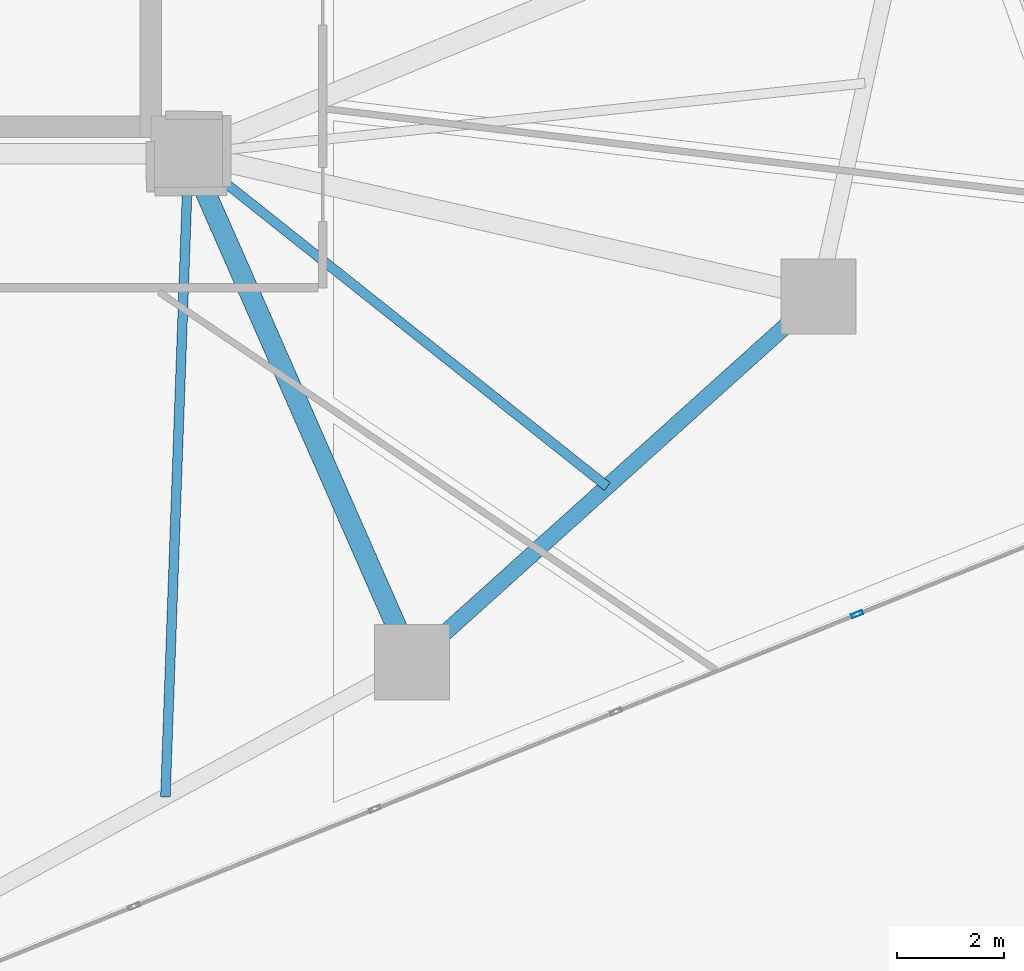
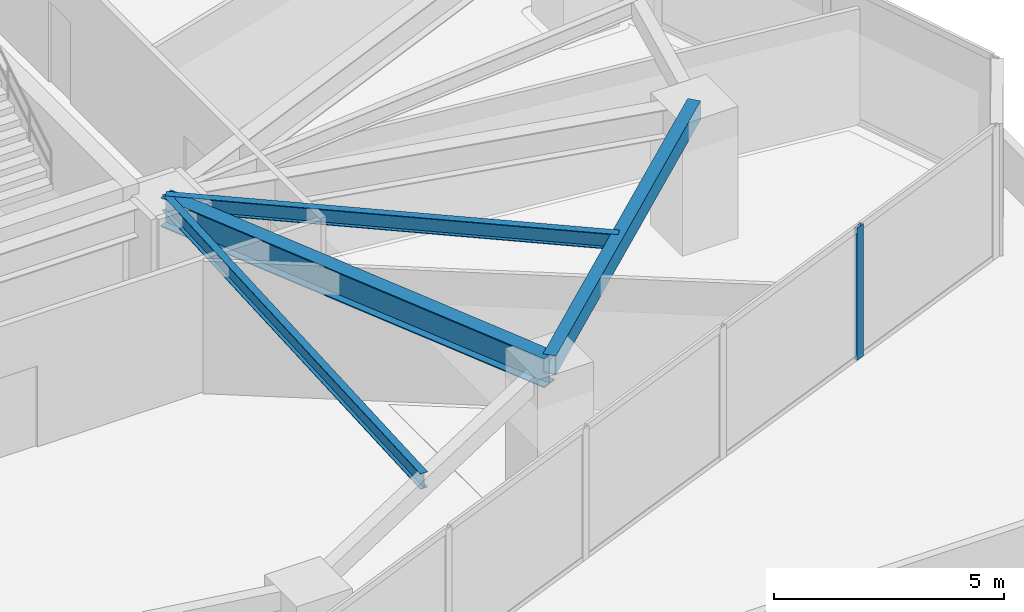
# One storey, part 10 of 23: 4 beams, 1 member, 1 element without a shape of its own.
"""IFC4 building model written with IfcOpenShell, lengths in metres."""

from ifc_helpers import new_model, si_unit, direction, frame, origin, origin_2d, place, context, subcontext, project, spatial, hollow_rectangle, i_section, extrude, source, transform, mapped, material, layer, layer_set, material_profile, profile_set, type_object, type_shapes, element, aggregate, save


model = new_model("IFC4")

# Units and contexts
model_context = context("Model", 3, precision=1e-05, world=origin(), true_north=direction((0.0, 1.0)))
body_context = subcontext(model_context, "Body", "Model", "MODEL_VIEW")
ifc_project = project(units=[si_unit("LENGTHUNIT", "METRE"), si_unit("AREAUNIT", "SQUARE_METRE"), si_unit("VOLUMEUNIT", "CUBIC_METRE"), si_unit("PLANEANGLEUNIT", "RADIAN"), si_unit("MASSUNIT", "GRAM", prefix="KILO")], contexts=[model_context])

# Site, building, storey
site_placement = place(None, origin())
site = spatial("IfcSite", under=ifc_project, at=site_placement, CompositionType="ELEMENT")
building_placement = place(site_placement, origin())
building = spatial("IfcBuilding", under=site, at=building_placement, Name="Talar Marvaseh", CompositionType="ELEMENT")
storey_placement = place(building_placement, frame((0.0, 0.0, 24.0)))
storey = spatial("IfcBuildingStorey", under=building, at=storey_placement, Name="L05", CompositionType="ELEMENT", Elevation=24.0)

# Beams
ifc_material_1 = material(Name="Steel S355", Category="steel")
ifc_material_profile_1 = material_profile(ifc_material_1, hollow_rectangle(XDim=0.300048828125, YDim=0.5, WallThickness=0.02001953125, at=origin_2d()), Name="RHS500x300x20")
ifc_profile_set_1 = profile_set([ifc_material_profile_1], Name="Steel S355")
beam_type_1 = type_object("IfcBeamType", Name="Zone 1 Perimeter Spandrel Beam RHS500x300x20", PredefinedType="SPANDREL", material=ifc_profile_set_1)
beam_1_placement = place(storey_placement, frame((45.0439453125, 22.840087890625, 3.27001953125), z_axis=(-0.743257224494, -0.669005753516, 0.0), x_axis=(0.669005753516, -0.743257224494, 0.0)))
element("IfcBeam", 1, at=beam_1_placement, inside=storey, type_object=beam_type_1, Name="L05 Zone 1 Perimeter Spandrel Beam RHS500x300x20", PredefinedType="SPANDREL", context=body_context, shape_type="SweptSolid", body=[
    extrude(hollow_rectangle(XDim=0.300048828125, YDim=0.5, WallThickness=0.02001953125, at=origin_2d()), origin(), (0.0, 0.0, 1.0), 10.19287109375),
])
ifc_material_profile_2 = material_profile(ifc_material_1, i_section(OverallWidth=0.381103515625, OverallDepth=0.77294921875, WebThickness=0.0166015625, FlangeThickness=0.027099609375, at=origin_2d()), Name="W760x257")
ifc_profile_set_2 = profile_set([ifc_material_profile_2], Name="Steel S355")
beam_type_2 = type_object("IfcBeamType", Name="Zone 1 Radial Floor Girder W760x257", PredefinedType="BEAM", material=ifc_profile_set_2)
beam_2_placement = place(storey_placement, frame((37.468017578125, 16.02099609375, 3.133544921875), z_axis=(-0.402512625991, 0.915414433969, 0.0), x_axis=(-0.915414433969, -0.402512625991, 0.0)))
element("IfcBeam", 2, at=beam_2_placement, inside=storey, type_object=beam_type_2, Name="L05 Zone 1 Radial Floor Girder W760x257", PredefinedType="BEAM", context=body_context, shape_type="SweptSolid", body=[
    extrude(i_section(OverallWidth=0.381103515625, OverallDepth=0.77294921875, WebThickness=0.0166015625, FlangeThickness=0.027099609375, at=origin_2d()), origin(), (0.0, 0.0, 1.0), 10.35498046875),
])
ifc_material_profile_3 = material_profile(ifc_material_1, i_section(OverallWidth=0.179931640625, OverallDepth=0.4130859375, WebThickness=0.009765625, FlangeThickness=0.01611328125, at=origin_2d()), Name="W410x75")
ifc_profile_set_3 = profile_set([ifc_material_profile_3], Name="Steel S355")
beam_type_3 = type_object("IfcBeamType", Name="Zone 1 Secondary Floor Joist W410x75", PredefinedType="JOIST", material=ifc_profile_set_3)
beam_3_placement = place(storey_placement, frame((41.1044921875, 19.294189453125, 3.3134765625), z_axis=(-0.782711925261, 0.622384159546, 0.0), x_axis=(-0.622384159546, -0.782711925261, 0.0)))
element("IfcBeam", 3, at=beam_3_placement, inside=storey, type_object=beam_type_3, Name="L05 Zone 1 Secondary Floor Joist W410x75", PredefinedType="JOIST", context=body_context, shape_type="SweptSolid", body=[
    extrude(i_section(OverallWidth=0.179931640625, OverallDepth=0.4130859375, WebThickness=0.009765625, FlangeThickness=0.01611328125, at=origin_2d()), origin(), (0.0, 0.0, 1.0), 9.970947265625),
])
beam_4_placement = place(storey_placement, frame((32.86962890625, 13.511474609375, 3.3134765625), z_axis=(0.035879540639, 0.999356121992, 0.0), x_axis=(-0.999356121992, 0.035879540639, 0.0)))
element("IfcBeam", 4, at=beam_4_placement, inside=storey, type_object=beam_type_3, Name="L05 Zone 1 Secondary Floor Joist W410x75", PredefinedType="JOIST", context=body_context, shape_type="SweptSolid", body=[
    extrude(i_section(OverallWidth=0.179931640625, OverallDepth=0.4130859375, WebThickness=0.009765625, FlangeThickness=0.01611328125, at=origin_2d()), origin(), (0.0, 0.0, 1.0), 11.996337890625),
])

# Curtain wall, member
ifc_material_2 = material(Name="Architectural Aluminium", Category="aluminium")
ifc_layer = layer(ifc_material_2, 0.219970703125)
ifc_layer_set = layer_set([ifc_layer], Name="Architectural Aluminium")
curtain_wall_type = type_object("IfcCurtainWallType", Name="Unitised Low-E Museum Curtain Wall Z1", PredefinedType="NOTDEFINED", material=ifc_layer_set)
curtain_wall_placement = place(storey_placement, origin())
curtain_wall = element("IfcCurtainWall", 5, at=curtain_wall_placement, inside=storey, type_object=curtain_wall_type, Name="L05 Unitised Low-E Museum Curtain Wall Z1", PredefinedType="NOTDEFINED")
ifc_material_profile_4 = material_profile(ifc_material_2, hollow_rectangle(XDim=0.080078125, YDim=0.219970703125, WallThickness=0.0048828125, at=origin_2d()), Name="RHS220x80x5")
ifc_profile_set_4 = profile_set([ifc_material_profile_4], Name="Architectural Aluminium")
member_type = type_object("IfcMemberType", Name="Unitised Curtain Wall Heavy Mullion RHS220x80x5", PredefinedType="MULLION", material=ifc_profile_set_4)
shared_shape = source(origin(), body_context, "Body", "SweptSolid", [
    extrude(hollow_rectangle(XDim=0.080078125, YDim=0.219970703125, WallThickness=0.0048828125, at=origin_2d()), origin(), (0.0, 0.0, 1.0), 3.52001953125),
])
type_shapes(member_type, [shared_shape])
member_placement = place(storey_placement, frame((45.76171875, 16.916015625, 0.0), z_axis=(0.0, 0.0, 1.0), x_axis=(0.374463049598, -0.927241837109, 0.0)))
member = element("IfcMember", 6, at=member_placement, type_object=member_type, Name="CW-Z1 mullion 2", PredefinedType="MULLION", context=body_context, shape_type="MappedRepresentation", body=[
    mapped(shared_shape, transform((0.0, 0.0, 0.0), x_axis=(1.0, 0.0, 0.0), y_axis=(0.0, 1.0, 0.0), z_axis=(0.0, 0.0, 1.0), scale=1.0)),
])
aggregate(curtain_wall, [member])

save(model, "model.ifc")
